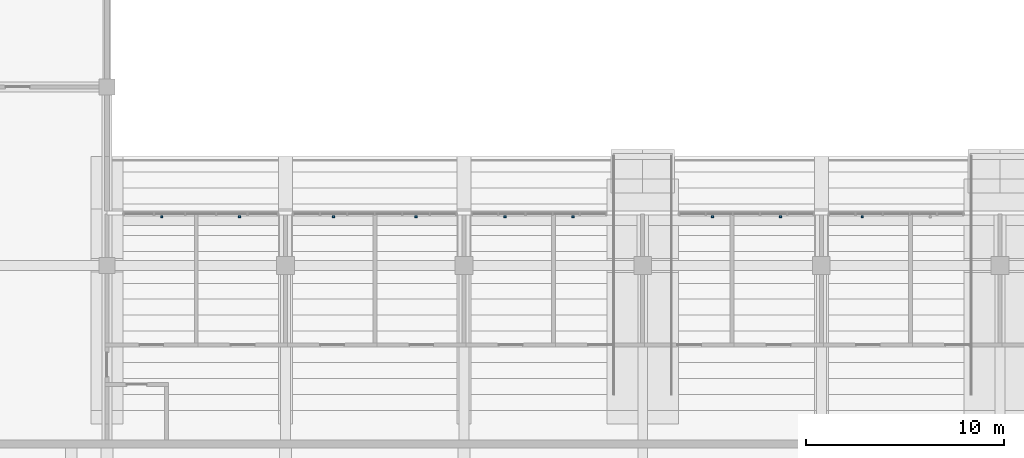
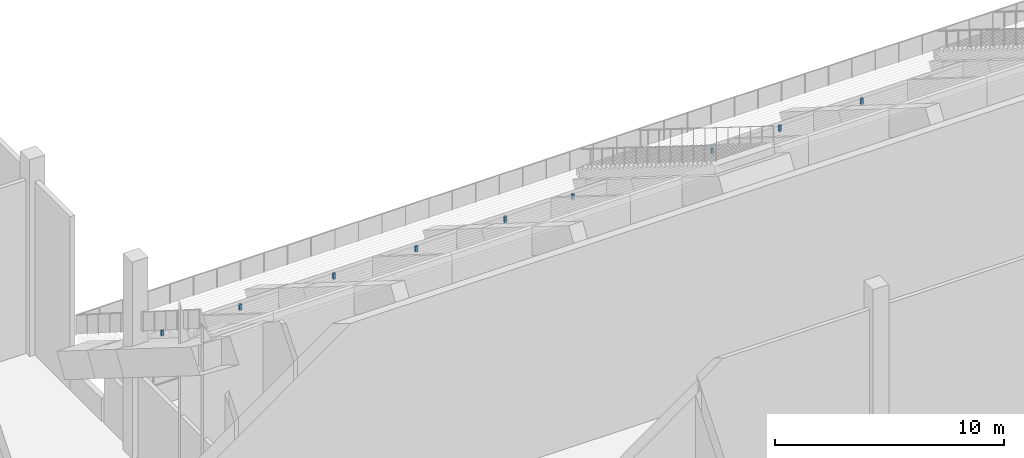
# One storey, part 111 of 182: 9 discrete accessories.
"""IFC4 building model written with IfcOpenShell, lengths in metres."""

from ifc_helpers import new_model, si_unit, direction, frame, origin, origin_2d, place, context, subcontext, project, spatial, rectangle, extrude, material, type_object, element, save


model = new_model("IFC4")

# Units and contexts
model_context = context("Model", 3, precision=1e-05, world=origin(), true_north=direction((0.0, 1.0)))
body_context = subcontext(model_context, "Body", "Model", "MODEL_VIEW")
ifc_project = project(units=[si_unit("LENGTHUNIT", "METRE"), si_unit("AREAUNIT", "SQUARE_METRE"), si_unit("VOLUMEUNIT", "CUBIC_METRE"), si_unit("PLANEANGLEUNIT", "RADIAN"), si_unit("MASSUNIT", "GRAM", prefix="KILO")], contexts=[model_context])

# Site, building, storey
site_placement = place(None, origin())
site = spatial("IfcSite", under=ifc_project, at=site_placement, CompositionType="ELEMENT")
building_placement = place(site_placement, origin())
building = spatial("IfcBuilding", under=site, at=building_placement, Name="Silverbay Arena", CompositionType="ELEMENT")
storey_placement = place(building_placement, frame((0.0, 0.0, 11.5)))
storey = spatial("IfcBuildingStorey", under=building, at=storey_placement, Name="L02", CompositionType="ELEMENT", Elevation=11.5)

# Discrete accessories
ifc_material = material(Name="Steel S355", Category="steel")
discrete_accessory_type = type_object("IfcDiscreteAccessoryType", Name="Steel bracket plate", PredefinedType="BRACKET", material=ifc_material)
for number, where, z_axis, x_axis, name in (
    (1, (101.762451171875, 47.449951171875, 3.76416015625), (0.0, 0.0, 1.0), (1.0, 0.0, 0.0), "Fascia hanger bracket"),
    (2, (105.6875, 47.449951171875, 3.76416015625), (0.0, 0.0, 1.0), (1.0, 0.0, 0.0), "Fascia hanger bracket"),
    (3, (110.425048828125, 47.449951171875, 3.76416015625), (0.0, 0.0, 1.0), (1.0, 0.0, 0.0), "Fascia hanger bracket"),
    (4, (114.574951171875, 47.449951171875, 3.76416015625), (0.0, 0.0, 1.0), (1.0, 0.0, 0.0), "Fascia hanger bracket"),
    (5, (119.0625, 47.449951171875, 3.76416015625), (0.0, 0.0, 1.0), (1.0, 0.0, 0.0), "Fascia hanger bracket"),
    (6, (122.487548828125, 47.449951171875, 3.76416015625), (0.0, 0.0, 1.0), (1.0, 0.0, 0.0), "Fascia hanger bracket"),
    (7, (129.512451171875, 47.449951171875, 3.76416015625), (0.0, 0.0, 1.0), (1.0, 0.0, 0.0), "Fascia hanger bracket"),
    (8, (132.9375, 47.449951171875, 3.76416015625), (0.0, 0.0, 1.0), (1.0, 0.0, 0.0), "Fascia hanger bracket"),
    (9, (137.0625, 47.449951171875, 3.76416015625), (0.0, 0.0, 1.0), (1.0, 0.0, 0.0), "Fascia hanger bracket"),
):
    element("IfcDiscreteAccessory", number, at=place(storey_placement, frame(where, z_axis=z_axis, x_axis=x_axis)), inside=storey, type_object=discrete_accessory_type, Name=name, PredefinedType="BRACKET", context=body_context, shape_type="SweptSolid", body=[
        extrude(rectangle(XDim=0.1201171875, YDim=0.10009765625, at=origin_2d()), origin(), (0.0, 0.0, 1.0), 0.300048828125),
    ])

save(model, "model.ifc")
